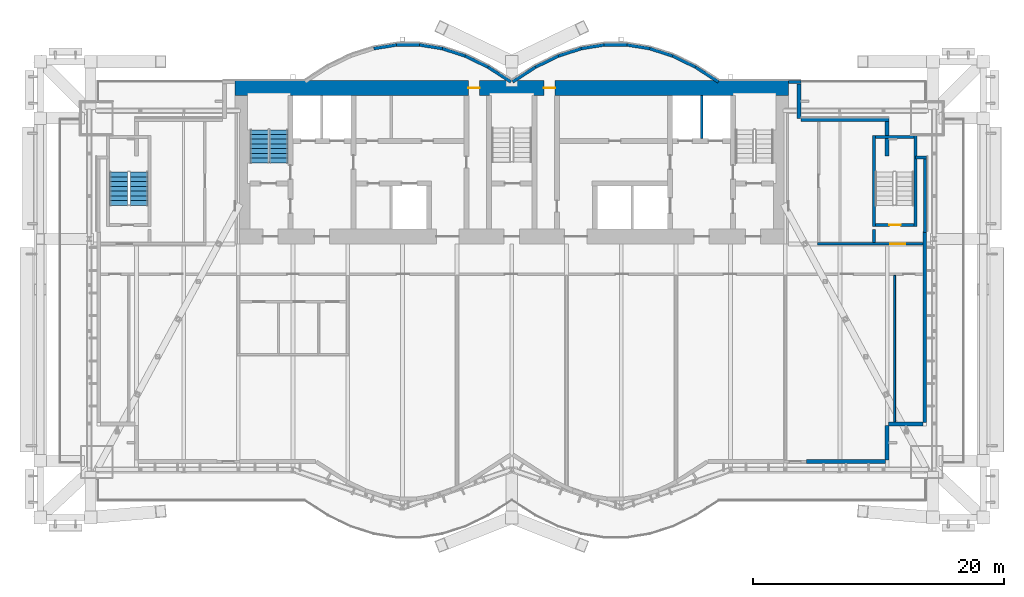
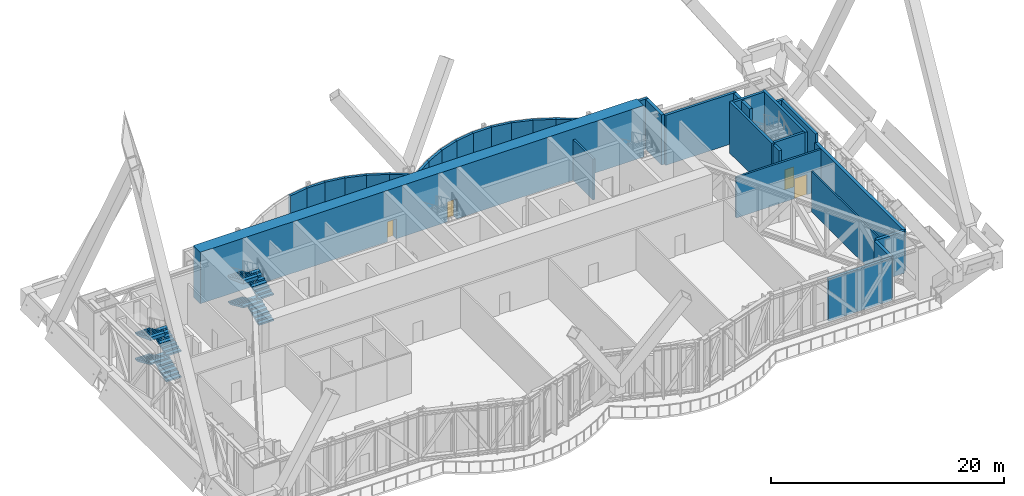
# One storey, part 26 of 30: 34 walls, 8 stair flights, 4 doors, 4 openings, 2 elements without a shape of their own.
"""IFC4 building model written with IfcOpenShell, lengths in metres."""

from ifc_helpers import new_model, si_unit, direction, frame, frame_2d, origin, place, context, subcontext, project, spatial, polyline, rectangle, outline, extrude, material, layer, layer_set, layer_usage, type_object, element, fill, aggregate, save


model = new_model("IFC4")

# Units and contexts
model_context = context("Model", 3, precision=1e-05, world=origin(), true_north=direction((0.0, 1.0)))
body_context = subcontext(model_context, "Body", "Model", "MODEL_VIEW")
ifc_project = project(units=[si_unit("LENGTHUNIT", "METRE"), si_unit("AREAUNIT", "SQUARE_METRE"), si_unit("VOLUMEUNIT", "CUBIC_METRE"), si_unit("PLANEANGLEUNIT", "RADIAN"), si_unit("MASSUNIT", "GRAM", prefix="KILO")], contexts=[model_context])

# Site, building, storey
site_placement = place(None, origin())
site = spatial("IfcSite", under=ifc_project, at=site_placement, CompositionType="ELEMENT")
building_placement = place(site_placement, origin())
building = spatial("IfcBuilding", under=site, at=building_placement, Name="Bicima Exchange Tower", CompositionType="ELEMENT")
storey_placement = place(building_placement, frame((0.0, 0.0, 185.5)))
storey = spatial("IfcBuildingStorey", under=building, at=storey_placement, Name="L41", CompositionType="ELEMENT", Elevation=185.5)

# Wall
ifc_material_1 = material(Name="Gypsum board partition")
ifc_layer_1 = layer(ifc_material_1, 0.199951171875)
ifc_layer_set_1 = layer_set([ifc_layer_1], Name="Gypsum board partition")
wall_type_1 = type_object("IfcWallType", Name="Fire-rated gypsum partition 200 EI120", PredefinedType="PARTITIONING", material=ifc_layer_set_1)
wall_1_placement = place(storey_placement, frame((15.10009765625, -4.60009765625, 0.0), z_axis=(0.0, 0.0, 1.0), x_axis=(0.0, 1.0, 0.0)))
element("IfcWall", 1, at=wall_1_placement, inside=storey, type_object=wall_type_1, Name="partition wall 21", PredefinedType="PARTITIONING", context=body_context, shape_type="SweptSolid", body=[
    extrude(rectangle(XDim=3.400146484375, YDim=0.199951171875, at=frame_2d((1.7001953125, 0.0))), origin(), (0.0, 0.0, 1.0), 4.259765625),
])

# Wall, opening, door
ifc_layer_2 = layer(ifc_material_1, 0.199951171875)
ifc_layer_set_2 = layer_set([ifc_layer_2], Name="Gypsum board partition")
wall_type_2 = type_object("IfcWallType", Name="Fire-rated gypsum partition 200 EI60", PredefinedType="PARTITIONING", material=ifc_layer_set_2)
wall_2_placement = place(storey_placement, frame((24.300048828125, -13.0, 0.0), z_axis=(0.0, 0.0, 1.0), x_axis=(1.0, 0.0, 0.0)))
wall_2 = element("IfcWall", 2, at=wall_2_placement, inside=storey, type_object=wall_type_2, Name="partition wall 7", PredefinedType="PARTITIONING", context=body_context, shape_type="SweptSolid", body=[
    extrude(rectangle(XDim=8.39990234375, YDim=0.199951171875, at=frame_2d((4.199951171875, 0.0))), origin(), (0.0, 0.0, 1.0), 4.259765625),
])
opening_1_placement = place(wall_2_placement, frame((5.800048828125, 0.0, 0.0)))
opening_1 = element("IfcOpeningElement", 3, at=opening_1_placement, cuts=wall_2, Name="Opening L41-003", PredefinedType="OPENING", context=body_context, shape_type="SweptSolid", body=[
    extrude(rectangle(XDim=1.199951171875, YDim=2.10009765625, at=frame_2d((0.60009765625, 1.050048828125))), frame((0.0, 0.11181640625, 0.0), z_axis=(0.0, -1.0, 0.0), x_axis=(1.0, 0.0, 0.0)), (0.0, 0.0, 1.0), 0.223876953125),
])
ifc_material_2 = material(Name="Steel fire door leaf", Category="steel")
door_type_1 = type_object("IfcDoorType", Name="Door 1200 swing FD30S", OperationType="SINGLE_SWING_LEFT", PredefinedType="DOOR", material=ifc_material_2)
door_1_placement = place(opening_1_placement, origin())
door_1 = element("IfcDoor", 4, at=door_1_placement, inside=storey, type_object=door_type_1, Name="Door", OperationType="SINGLE_SWING_RIGHT", OverallHeight=2.10009765625, OverallWidth=1.199951171875, PredefinedType="DOOR", context=body_context, shape_type="SweptSolid", body=[
    extrude(rectangle(XDim=1.199951171875, YDim=2.10009765625, at=frame_2d((0.60009765625, 1.050048828125))), frame((0.0, 0.02490234375, 0.0), z_axis=(0.0, -1.0, 0.0), x_axis=(1.0, 0.0, 0.0)), (0.0, 0.0, 1.0), 0.050048828125),
])
fill(opening_1, door_1)

# Wall
ifc_layer_3 = layer(ifc_material_1, 0.14990234375)
ifc_layer_set_3 = layer_set([ifc_layer_3], Name="Gypsum board partition")
wall_type_3 = type_object("IfcWallType", Name="Gypsum partition 150", PredefinedType="PARTITIONING", material=ifc_layer_set_3)
wall_3_placement = place(storey_placement, frame((30.449951171875, -27.159912109375, 0.0), z_axis=(0.0, 0.0, 1.0), x_axis=(0.0, 1.0, 0.0)))
element("IfcWall", 5, at=wall_3_placement, inside=storey, type_object=wall_type_3, Name="partition wall 26", PredefinedType="PARTITIONING", context=body_context, shape_type="SweptSolid", body=[
    extrude(rectangle(XDim=11.659912109375, YDim=0.14990234375, at=frame_2d((5.830078125, 0.0))), origin(), (0.0, 0.0, 1.0), 4.259765625),
])

# Wall, openings, doors
ifc_material_3 = material(Name="Concrete C50/60", Category="concrete")
ifc_layer_4 = layer(ifc_material_3, 1.199951171875)
ifc_layer_set_4 = layer_set([ifc_layer_4], Name="Concrete C50/60")
wall_type_4 = type_object("IfcWallType", Name="RC core wall 1200 C50/60", PredefinedType="SHEAR", material=ifc_layer_set_4)
wall_4_placement = place(storey_placement, frame((-22.0, -0.60009765625, 0.0), z_axis=(0.0, 0.0, 1.0), x_axis=(1.0, 0.0, 0.0)))
wall_4 = element("IfcWall", 6, at=wall_4_placement, inside=storey, type_object=wall_type_4, Name="Core wall north", PredefinedType="SHEAR", context=body_context, shape_type="SweptSolid", body=[
    extrude(rectangle(XDim=44.0, YDim=1.199951171875, at=frame_2d((22.0, 0.0))), origin(), (0.0, 0.0, 1.0), 5.39990234375),
])
opening_2_placement = place(wall_4_placement, frame((18.550048828125, 0.0, 0.0)))
opening_2 = element("IfcOpeningElement", 7, at=opening_2_placement, cuts=wall_4, Name="Opening L41-C16", PredefinedType="OPENING", context=body_context, shape_type="SweptSolid", body=[
    extrude(rectangle(XDim=0.89990234375, YDim=2.10009765625, at=frame_2d((0.449951171875, 1.050048828125))), frame((0.0, 0.61181640625, 0.0), z_axis=(0.0, -1.0, 0.0), x_axis=(1.0, 0.0, 0.0)), (0.0, 0.0, 1.0), 1.223876953125),
])
opening_3_placement = place(wall_4_placement, frame((24.550048828125, 0.0, 0.0)))
opening_3 = element("IfcOpeningElement", 8, at=opening_3_placement, cuts=wall_4, Name="Opening L41-C17", PredefinedType="OPENING", context=body_context, shape_type="SweptSolid", body=[
    extrude(rectangle(XDim=0.89990234375, YDim=2.10009765625, at=frame_2d((0.449951171875, 1.050048828125))), frame((0.0, 0.61181640625, 0.0), z_axis=(0.0, -1.0, 0.0), x_axis=(1.0, 0.0, 0.0)), (0.0, 0.0, 1.0), 1.223876953125),
])
door_type_2 = type_object("IfcDoorType", Name="Door 900 swing FD30S", OperationType="SINGLE_SWING_LEFT", PredefinedType="DOOR", material=ifc_material_2)
door_2_placement = place(opening_2_placement, origin())
door_2 = element("IfcDoor", 9, at=door_2_placement, inside=storey, type_object=door_type_2, Name="Core door", OperationType="SINGLE_SWING_LEFT", OverallHeight=2.10009765625, OverallWidth=0.89990234375, PredefinedType="DOOR", context=body_context, shape_type="SweptSolid", body=[
    extrude(rectangle(XDim=0.89990234375, YDim=2.10009765625, at=frame_2d((0.449951171875, 1.050048828125))), frame((0.0, 0.02490234375, 0.0), z_axis=(0.0, -1.0, 0.0), x_axis=(1.0, 0.0, 0.0)), (0.0, 0.0, 1.0), 0.050048828125),
])
fill(opening_2, door_2)
door_3_placement = place(opening_3_placement, origin())
door_3 = element("IfcDoor", 10, at=door_3_placement, inside=storey, type_object=door_type_2, Name="Core door", OperationType="SINGLE_SWING_LEFT", OverallHeight=2.10009765625, OverallWidth=0.89990234375, PredefinedType="DOOR", context=body_context, shape_type="SweptSolid", body=[
    extrude(rectangle(XDim=0.89990234375, YDim=2.10009765625, at=frame_2d((0.449951171875, 1.050048828125))), frame((0.0, 0.02490234375, 0.0), z_axis=(0.0, -1.0, 0.0), x_axis=(1.0, 0.0, 0.0)), (0.0, 0.0, 1.0), 0.050048828125),
])
fill(opening_3, door_3)

# Walls
ifc_layer_5 = layer(ifc_material_3, 0.25)
ifc_layer_set_5 = layer_set([ifc_layer_5], Name="Concrete C50/60")
wall_type_5 = type_object("IfcWallType", Name="RC core wall 250 C50/60", PredefinedType="SHEAR", material=ifc_layer_set_5)
wall_5_placement = place(storey_placement, frame((28.800048828125, -12.89990234375, 0.0), z_axis=(0.0, 0.0, 1.0), x_axis=(0.0, 1.0, 0.0)))
element("IfcWall", 11, at=wall_5_placement, inside=storey, type_object=wall_type_5, Name="stair wall 25", PredefinedType="SHEAR", context=body_context, shape_type="SweptSolid", body=[
    extrude(rectangle(XDim=1.0498046875, YDim=0.25, at=frame_2d((0.52490234375, 0.0))), origin(), (0.0, 0.0, 1.0), 5.39990234375),
])
ifc_layer_6 = layer(ifc_material_3, 0.25)
ifc_layer_set_6 = layer_set([ifc_layer_6], Name="Concrete C50/60")
wall_type_6 = type_object("IfcWallType", Name="RC stair enclosure wall 250 C50/60", PredefinedType="SHEAR", material=ifc_layer_set_6)
wall_6_placement = place(storey_placement, frame((28.800048828125, -11.625, 0.0), z_axis=(0.0, 0.0, 1.0), x_axis=(0.0, 1.0, 0.0)))
element("IfcWall", 12, at=wall_6_placement, inside=storey, type_object=wall_type_6, Name="East end exit stair wall W", PredefinedType="SHEAR", context=body_context, shape_type="SweptSolid", body=[
    extrude(rectangle(XDim=7.25, YDim=0.25, at=frame_2d((3.625, 0.0))), origin(), (0.0, 0.0, 1.0), 5.39990234375),
])
wall_7_placement = place(storey_placement, frame((32.10009765625, -11.625, 0.0), z_axis=(0.0, 0.0, 1.0), x_axis=(0.0, 1.0, 0.0)))
element("IfcWall", 13, at=wall_7_placement, inside=storey, type_object=wall_type_6, Name="East end exit stair wall E", PredefinedType="SHEAR", context=body_context, shape_type="SweptSolid", body=[
    extrude(rectangle(XDim=7.324951171875, YDim=0.25, at=frame_2d((3.66259765625, 0.0))), origin(), (0.0, 0.0, 1.0), 5.39990234375),
])

# Wall, opening, door
wall_8_placement = place(storey_placement, frame((28.925048828125, -11.5, 0.0), z_axis=(0.0, 0.0, 1.0), x_axis=(1.0, 0.0, 0.0)))
wall_8 = element("IfcWall", 14, at=wall_8_placement, inside=storey, type_object=wall_type_6, Name="East end exit stair wall S", PredefinedType="SHEAR", context=body_context, shape_type="SweptSolid", body=[
    extrude(rectangle(XDim=3.050048828125, YDim=0.25, at=frame_2d((1.52490234375, 0.0))), origin(), (0.0, 0.0, 1.0), 5.39990234375),
])
opening_4_placement = place(wall_8_placement, frame((1.10009765625, 0.0, 0.0)))
opening_4 = element("IfcOpeningElement", 15, at=opening_4_placement, cuts=wall_8, Name="Opening L41-004", PredefinedType="OPENING", context=body_context, shape_type="SweptSolid", body=[
    extrude(rectangle(XDim=0.89990234375, YDim=2.10009765625, at=frame_2d((0.449951171875, 1.050048828125))), frame((0.0, 0.136962890625, 0.0), z_axis=(0.0, -1.0, 0.0), x_axis=(1.0, 0.0, 0.0)), (0.0, 0.0, 1.0), 0.27392578125),
])
door_type_3 = type_object("IfcDoorType", Name="Door 900 swing FD60S", OperationType="SINGLE_SWING_LEFT", PredefinedType="DOOR", material=ifc_material_2)
door_4_placement = place(opening_4_placement, origin())
door_4 = element("IfcDoor", 16, at=door_4_placement, inside=storey, type_object=door_type_3, Name="Door", OperationType="SINGLE_SWING_LEFT", OverallHeight=2.10009765625, OverallWidth=0.89990234375, PredefinedType="DOOR", context=body_context, shape_type="SweptSolid", body=[
    extrude(rectangle(XDim=0.89990234375, YDim=2.10009765625, at=frame_2d((0.449951171875, 1.050048828125))), frame((0.0, 0.02490234375, 0.0), z_axis=(0.0, -1.0, 0.0), x_axis=(1.0, 0.0, 0.0)), (0.0, 0.0, 1.0), 0.050048828125),
])
fill(opening_4, door_4)

# Walls
wall_9_placement = place(storey_placement, frame((28.925048828125, -4.5, 0.0), z_axis=(0.0, 0.0, 1.0), x_axis=(1.0, 0.0, 0.0)))
element("IfcWall", 17, at=wall_9_placement, inside=storey, type_object=wall_type_6, Name="East end exit stair wall N", PredefinedType="SHEAR", context=body_context, shape_type="SweptSolid", body=[
    extrude(rectangle(XDim=3.050048828125, YDim=0.25, at=frame_2d((1.52490234375, 0.0))), origin(), (0.0, 0.0, 1.0), 5.39990234375),
])
ifc_material_4 = material(Name="Concrete C40/50", Category="concrete")
ifc_layer_7 = layer(ifc_material_4, 0.25)
ifc_layer_set_7 = layer_set([ifc_layer_7], Name="Concrete C40/50")
ifc_layer_usage_1 = layer_usage(ifc_layer_set_7, "AXIS2", "POSITIVE", -0.125)
wall_type_7 = type_object("IfcWallType", Name="Rear backup wall 250", PredefinedType="STANDARD", material=ifc_layer_set_7)
wall_10_placement = place(storey_placement, frame((32.875, -12.090087890625, 0.0), z_axis=(0.0, 0.0, 1.0), x_axis=(0.0, 1.0, 0.0)))
element("IfcWall", 18, at=wall_10_placement, inside=storey, type_object=wall_type_7, material=ifc_layer_usage_1, Name="Rear backup wall L41 2", PredefinedType="STANDARD", context=body_context, shape_type="SweptSolid", body=[
    extrude(rectangle(XDim=6.090087890625, YDim=0.25, at=frame_2d((3.044921875, 0.0))), origin(), (0.0, 0.0, 1.0), 5.25),
])
wall_11_placement = place(storey_placement, frame((33.0, -6.125, 0.0), z_axis=(0.0, 0.0, 1.0), x_axis=(-1.0, 0.0, 0.0)))
element("IfcWall", 19, at=wall_11_placement, inside=storey, type_object=wall_type_7, material=ifc_layer_usage_1, Name="Rear backup wall L41 3", PredefinedType="STANDARD", context=body_context, shape_type="SweptSolid", body=[
    extrude(rectangle(XDim=0.889892578125, YDim=0.25, at=frame_2d((0.44482421875, 0.0))), origin(), (0.0, 0.0, 1.0), 5.25),
])
wall_12_placement = place(storey_placement, frame((30.0, -3.125, 0.0), z_axis=(0.0, 0.0, 1.0), x_axis=(-1.0, 0.0, 0.0)))
element("IfcWall", 20, at=wall_12_placement, inside=storey, type_object=wall_type_7, material=ifc_layer_usage_1, Name="Rear backup wall L41 5", PredefinedType="STANDARD", context=body_context, shape_type="SweptSolid", body=[
    extrude(rectangle(XDim=7.0, YDim=0.25, at=frame_2d((3.5, 0.0))), origin(), (0.0, 0.0, 1.0), 5.25),
])
wall_13_placement = place(storey_placement, frame((23.0, -0.125, 0.0), z_axis=(0.0, 0.0, 1.0), x_axis=(-1.0, 0.0, 0.0)))
element("IfcWall", 21, at=wall_13_placement, inside=storey, type_object=wall_type_7, material=ifc_layer_usage_1, Name="Rear backup wall L41 7", PredefinedType="STANDARD", context=body_context, shape_type="SweptSolid", body=[
    extrude(rectangle(XDim=1.0, YDim=0.25, at=frame_2d((0.5, 0.0))), origin(), (0.0, 0.0, 1.0), 5.25),
])
wall_14_placement = place(storey_placement, frame((16.43212890625, -0.10498046875, 0.0), z_axis=(0.0, 0.0, 1.0), x_axis=(-0.83981312244, 0.542875602121, 0.0)))
element("IfcWall", 22, at=wall_14_placement, inside=storey, type_object=wall_type_7, material=ifc_layer_usage_1, Name="Rear backup wall L41 8", PredefinedType="STANDARD", context=body_context, shape_type="SweptSolid", body=[
    extrude(rectangle(XDim=2.182861328125, YDim=0.25, at=frame_2d((1.09130859375, 0.0))), origin(), (0.0, 0.0, 1.0), 5.25),
])
wall_15_placement = place(storey_placement, frame((14.6123046875, 1.07275390625, 0.0), z_axis=(0.0, 0.0, 1.0), x_axis=(-0.89982408427, 0.436252928206, 0.0)))
element("IfcWall", 23, at=wall_15_placement, inside=storey, type_object=wall_type_7, material=ifc_layer_usage_1, Name="Rear backup wall L41 9", PredefinedType="STANDARD", context=body_context, shape_type="SweptSolid", body=[
    extrude(rectangle(XDim=2.03759765625, YDim=0.25, at=frame_2d((1.018798828125, 0.0))), origin(), (0.0, 0.0, 1.0), 5.25),
])
wall_16_placement = place(storey_placement, frame((12.794921875, 1.955078125, 0.0), z_axis=(0.0, 0.0, 1.0), x_axis=(-0.951495806175, 0.307661714928, 0.0)))
element("IfcWall", 24, at=wall_16_placement, inside=storey, type_object=wall_type_7, material=ifc_layer_usage_1, Name="Rear backup wall L41 10", PredefinedType="STANDARD", context=body_context, shape_type="SweptSolid", body=[
    extrude(rectangle(XDim=1.9267578125, YDim=0.25, at=frame_2d((0.96337890625, 0.0))), origin(), (0.0, 0.0, 1.0), 5.25),
])
wall_17_placement = place(storey_placement, frame((10.97998046875, 2.543212890625, 0.0), z_axis=(0.0, 0.0, 1.0), x_axis=(-0.987181718931, 0.159600293885, 0.0)))
element("IfcWall", 25, at=wall_17_placement, inside=storey, type_object=wall_type_7, material=ifc_layer_usage_1, Name="Rear backup wall L41 11", PredefinedType="STANDARD", context=body_context, shape_type="SweptSolid", body=[
    extrude(rectangle(XDim=1.857177734375, YDim=0.25, at=frame_2d((0.9287109375, 0.0))), origin(), (0.0, 0.0, 1.0), 5.25),
])
wall_18_placement = place(storey_placement, frame((9.166748046875, 2.837890625, 0.0), z_axis=(0.0, 0.0, 1.0), x_axis=(-1.0, 0.0, 0.0)))
element("IfcWall", 26, at=wall_18_placement, inside=storey, type_object=wall_type_7, material=ifc_layer_usage_1, Name="Rear backup wall L41 12", PredefinedType="STANDARD", context=body_context, shape_type="SweptSolid", body=[
    extrude(rectangle(XDim=1.83349609375, YDim=0.25, at=frame_2d((0.916748046875, 0.0))), origin(), (0.0, 0.0, 1.0), 5.25),
])
wall_19_placement = place(storey_placement, frame((7.353271484375, 2.839599609375, 0.0), z_axis=(0.0, 0.0, 1.0), x_axis=(-0.987181718931, -0.159600293885, 0.0)))
element("IfcWall", 27, at=wall_19_placement, inside=storey, type_object=wall_type_7, material=ifc_layer_usage_1, Name="Rear backup wall L41 13", PredefinedType="STANDARD", context=body_context, shape_type="SweptSolid", body=[
    extrude(rectangle(XDim=1.857177734375, YDim=0.25, at=frame_2d((0.9287109375, 0.0))), origin(), (0.0, 0.0, 1.0), 5.25),
])
wall_20_placement = place(storey_placement, frame((5.538330078125, 2.5478515625, 0.0), z_axis=(0.0, 0.0, 1.0), x_axis=(-0.951495806175, -0.307661714928, 0.0)))
element("IfcWall", 28, at=wall_20_placement, inside=storey, type_object=wall_type_7, material=ifc_layer_usage_1, Name="Rear backup wall L41 14", PredefinedType="STANDARD", context=body_context, shape_type="SweptSolid", body=[
    extrude(rectangle(XDim=1.9267578125, YDim=0.25, at=frame_2d((0.96337890625, 0.0))), origin(), (0.0, 0.0, 1.0), 5.25),
])
wall_21_placement = place(storey_placement, frame((3.72119140625, 1.961669921875, 0.0), z_axis=(0.0, 0.0, 1.0), x_axis=(-0.89982408427, -0.436252928206, 0.0)))
element("IfcWall", 29, at=wall_21_placement, inside=storey, type_object=wall_type_7, material=ifc_layer_usage_1, Name="Rear backup wall L41 15", PredefinedType="STANDARD", context=body_context, shape_type="SweptSolid", body=[
    extrude(rectangle(XDim=2.03759765625, YDim=0.25, at=frame_2d((1.018798828125, 0.0))), origin(), (0.0, 0.0, 1.0), 5.25),
])
for number, where, z_axis, x_axis, name in (
    (30, (1.901123046875, 1.080078125, 0.0), (0.0, 0.0, 1.0), (-0.83981312244, -0.542875602121, 0.0), "Rear backup wall L41 16"),
    (31, (-0.06787109375, -0.10498046875, 0.0), (0.0, 0.0, 1.0), (-0.83981312244, 0.542875602121, 0.0), "Rear backup wall L41 17"),
):
    element("IfcWall", number, at=place(storey_placement, frame(where, z_axis=z_axis, x_axis=x_axis)), inside=storey, type_object=wall_type_7, material=ifc_layer_usage_1, Name=name, PredefinedType="STANDARD", context=body_context, shape_type="SweptSolid", body=[
        extrude(rectangle(XDim=2.182861328125, YDim=0.25, at=frame_2d((1.09130859375, 0.0))), origin(), (0.0, 0.0, 1.0), 5.25),
    ])
wall_22_placement = place(storey_placement, frame((-1.8876953125, 1.07275390625, 0.0), z_axis=(0.0, 0.0, 1.0), x_axis=(-0.89982408427, 0.436252928206, 0.0)))
element("IfcWall", 32, at=wall_22_placement, inside=storey, type_object=wall_type_7, material=ifc_layer_usage_1, Name="Rear backup wall L41 18", PredefinedType="STANDARD", context=body_context, shape_type="SweptSolid", body=[
    extrude(rectangle(XDim=2.03759765625, YDim=0.25, at=frame_2d((1.018798828125, 0.0))), origin(), (0.0, 0.0, 1.0), 5.25),
])
wall_23_placement = place(storey_placement, frame((-3.705078125, 1.955078125, 0.0), z_axis=(0.0, 0.0, 1.0), x_axis=(-0.951495806175, 0.307661714928, 0.0)))
element("IfcWall", 33, at=wall_23_placement, inside=storey, type_object=wall_type_7, material=ifc_layer_usage_1, Name="Rear backup wall L41 19", PredefinedType="STANDARD", context=body_context, shape_type="SweptSolid", body=[
    extrude(rectangle(XDim=1.9267578125, YDim=0.25, at=frame_2d((0.96337890625, 0.0))), origin(), (0.0, 0.0, 1.0), 5.25),
])
wall_24_placement = place(storey_placement, frame((-5.52001953125, 2.543212890625, 0.0), z_axis=(0.0, 0.0, 1.0), x_axis=(-0.987181718931, 0.159600293885, 0.0)))
element("IfcWall", 34, at=wall_24_placement, inside=storey, type_object=wall_type_7, material=ifc_layer_usage_1, Name="Rear backup wall L41 20", PredefinedType="STANDARD", context=body_context, shape_type="SweptSolid", body=[
    extrude(rectangle(XDim=1.857177734375, YDim=0.25, at=frame_2d((0.9287109375, 0.0))), origin(), (0.0, 0.0, 1.0), 5.25),
])
wall_25_placement = place(storey_placement, frame((-7.333251953125, 2.837890625, 0.0), z_axis=(0.0, 0.0, 1.0), x_axis=(-1.0, 0.0, 0.0)))
element("IfcWall", 35, at=wall_25_placement, inside=storey, type_object=wall_type_7, material=ifc_layer_usage_1, Name="Rear backup wall L41 21", PredefinedType="STANDARD", context=body_context, shape_type="SweptSolid", body=[
    extrude(rectangle(XDim=1.83349609375, YDim=0.25, at=frame_2d((0.916748046875, 0.0))), origin(), (0.0, 0.0, 1.0), 5.25),
])
wall_26_placement = place(storey_placement, frame((-9.146728515625, 2.839599609375, 0.0), z_axis=(0.0, 0.0, 1.0), x_axis=(-0.987181718931, -0.159600293885, 0.0)))
element("IfcWall", 36, at=wall_26_placement, inside=storey, type_object=wall_type_7, material=ifc_layer_usage_1, Name="Rear backup wall L41 22", PredefinedType="STANDARD", context=body_context, shape_type="SweptSolid", body=[
    extrude(rectangle(XDim=1.857177734375, YDim=0.25, at=frame_2d((0.9287109375, 0.0))), origin(), (0.0, 0.0, 1.0), 5.25),
])
ifc_layer_8 = layer(ifc_material_4, 0.3)
ifc_layer_set_8 = layer_set([ifc_layer_8], Name="Concrete C40/50")
ifc_layer_usage_2 = layer_usage(ifc_layer_set_8, "AXIS2", "POSITIVE", -0.15)
wall_type_8 = type_object("IfcWallType", Name="Refuge band wall 300", PredefinedType="STANDARD", material=ifc_layer_set_8)
wall_27_placement = place(storey_placement, frame((32.85009765625, -27.18408203125, 0.0), z_axis=(0.0, 0.0, 1.0), x_axis=(0.0, 1.0, 0.0)))
element("IfcWall", 37, at=wall_27_placement, inside=storey, type_object=wall_type_8, material=ifc_layer_usage_2, Name="Refuge band wall L41", PredefinedType="STANDARD", context=body_context, shape_type="SweptSolid", body=[
    extrude(rectangle(XDim=15.18408203125, YDim=0.300048828125, at=frame_2d((7.592041015625, 0.0))), origin(), (0.0, 0.0, 1.0), 4.338134765625),
])
for number, where, z_axis, x_axis, name in (
    (38, (29.85009765625, -6.024169921875, 0.0), (0.0, 0.0, 1.0), (0.0, 1.0, 0.0), "Refuge band wall L41"),
    (39, (22.85009765625, -3.024169921875, 0.0), (0.0, 0.0, 1.0), (0.0, 1.0, 0.0), "Refuge band wall L41"),
):
    element("IfcWall", number, at=place(storey_placement, frame(where, z_axis=z_axis, x_axis=x_axis)), inside=storey, type_object=wall_type_8, material=ifc_layer_usage_2, Name=name, PredefinedType="STANDARD", context=body_context, shape_type="SweptSolid", body=[
        extrude(rectangle(XDim=2.748291015625, YDim=0.300048828125, at=frame_2d((1.3740234375, 0.0))), origin(), (0.0, 0.0, 1.0), 5.25),
    ])
wall_28_placement = place(storey_placement, frame((23.449951171875, -30.31005859375, 0.0), z_axis=(0.0, 0.0, 1.0), x_axis=(1.0, 0.0, 0.0)))
element("IfcWall", 40, at=wall_28_placement, inside=storey, type_object=wall_type_8, material=ifc_layer_usage_2, Name="Refuge band wall L41", PredefinedType="STANDARD", context=body_context, shape_type="SweptSolid", body=[
    extrude(rectangle(XDim=6.274169921875, YDim=0.300048828125, at=frame_2d((3.13720703125, 0.0))), origin(), (0.0, 0.0, 1.0), 4.414306640625),
])
for number, where, z_axis, x_axis, name in (
    (41, (29.85009765625, -30.18408203125, 0.0), (0.0, 0.0, 1.0), (0.0, 1.0, 0.0), "Refuge band wall L41"),
    (42, (29.975830078125, -27.31005859375, 0.0), (0.0, 0.0, 1.0), (1.0, 0.0, 0.0), "Refuge band wall L41"),
):
    element("IfcWall", number, at=place(storey_placement, frame(where, z_axis=z_axis, x_axis=x_axis)), inside=storey, type_object=wall_type_8, material=ifc_layer_usage_2, Name=name, PredefinedType="STANDARD", context=body_context, shape_type="SweptSolid", body=[
        extrude(rectangle(XDim=2.748291015625, YDim=0.300048828125, at=frame_2d((1.3740234375, 0.0))), origin(), (0.0, 0.0, 1.0), 4.414306640625),
    ])

# Stair, stair flights
stair_type = type_object("IfcStairType", Name="Exit stair", PredefinedType="HALF_TURN_STAIR", material=ifc_material_3)
stair_1_placement = place(storey_placement, origin())
stair_1 = element("IfcStair", 43, at=stair_1_placement, inside=storey, type_object=stair_type, Name="L41 West exit stair", PredefinedType="HALF_TURN_STAIR")
stair_flight_type = type_object("IfcStairFlightType", Name="Stair flight RC", PredefinedType="STRAIGHT", material=ifc_material_3)
stair_flight_1_placement = place(storey_placement, frame((-18.52490234375, -6.550048828125, 0.0), z_axis=(0.0, 0.0, 1.0), x_axis=(0.0, 1.0, 0.0)))
stair_flight_1 = element("IfcStairFlight", 44, at=stair_flight_1_placement, type_object=stair_flight_type, Name="ST-W flight 1", NumberOfRisers=8, NumberOfTreads=7, PredefinedType="STRAIGHT", RiserHeight=0.16875, TreadLength=0.375714286, context=body_context, shape_type="SweptSolid", body=[
    extrude(outline(polyline([(0.0, 0.0), (0.0, 0.168701171875), (0.375732421875, 0.168701171875), (0.375732421875, 0.33740234375), (0.75146484375, 0.33740234375), (0.75146484375, 0.50634765625), (1.127197265625, 0.50634765625), (1.127197265625, 0.675048828125), (1.5029296875, 0.675048828125), (1.5029296875, 0.84375), (1.878662109375, 0.84375), (1.878662109375, 1.012451171875), (2.25439453125, 1.012451171875), (2.25439453125, 1.18115234375), (2.6298828125, 1.18115234375), (2.6298828125, 1.35009765625), (2.6298828125, 1.016845703125), (0.365966796875, 0.0), (0.0, 0.0)])), frame((0.0, 0.72509765625, 0.0), z_axis=(0.0, -1.0, 0.0), x_axis=(1.0, 0.0, 0.0)), (0.0, 0.0, 1.0), 1.449951171875),
])
stair_flight_2_placement = place(storey_placement, frame((-20.074951171875, -3.919921875, 1.35009765625), z_axis=(0.0, 0.0, 1.0), x_axis=(0.0, -1.0, 0.0)))
stair_flight_2 = element("IfcStairFlight", 45, at=stair_flight_2_placement, type_object=stair_flight_type, Name="ST-W flight 2", NumberOfRisers=8, NumberOfTreads=7, PredefinedType="STRAIGHT", RiserHeight=0.16875, TreadLength=0.375714286, context=body_context, shape_type="SweptSolid", body=[
    extrude(outline(polyline([(0.0, 0.0), (0.0, 0.168701171875), (0.375732421875, 0.168701171875), (0.375732421875, 0.33740234375), (0.75146484375, 0.33740234375), (0.75146484375, 0.50634765625), (1.127197265625, 0.50634765625), (1.127197265625, 0.675048828125), (1.5029296875, 0.675048828125), (1.5029296875, 0.84375), (1.878662109375, 0.84375), (1.878662109375, 1.012451171875), (2.25439453125, 1.012451171875), (2.25439453125, 1.18115234375), (2.6298828125, 1.18115234375), (2.6298828125, 1.35009765625), (2.6298828125, 1.016845703125), (0.365966796875, 0.0), (0.0, 0.0)])), frame((0.0, 0.72509765625, 0.0), z_axis=(0.0, -1.0, 0.0), x_axis=(1.0, 0.0, 0.0)), (0.0, 0.0, 1.0), 1.449951171875),
])
stair_flight_3_placement = place(storey_placement, frame((-18.52490234375, -6.550048828125, 2.699951171875), z_axis=(0.0, 0.0, 1.0), x_axis=(0.0, 1.0, 0.0)))
stair_flight_3 = element("IfcStairFlight", 46, at=stair_flight_3_placement, type_object=stair_flight_type, Name="ST-W flight 3", NumberOfRisers=8, NumberOfTreads=7, PredefinedType="STRAIGHT", RiserHeight=0.16875, TreadLength=0.375714286, context=body_context, shape_type="SweptSolid", body=[
    extrude(outline(polyline([(0.0, 0.0), (0.0, 0.168701171875), (0.375732421875, 0.168701171875), (0.375732421875, 0.33740234375), (0.75146484375, 0.33740234375), (0.75146484375, 0.50634765625), (1.127197265625, 0.50634765625), (1.127197265625, 0.675048828125), (1.5029296875, 0.675048828125), (1.5029296875, 0.84375), (1.878662109375, 0.84375), (1.878662109375, 1.012451171875), (2.25439453125, 1.012451171875), (2.25439453125, 1.18115234375), (2.6298828125, 1.18115234375), (2.6298828125, 1.35009765625), (2.6298828125, 1.016845703125), (0.365966796875, 0.0), (0.0, 0.0)])), frame((0.0, 0.72509765625, 0.0), z_axis=(0.0, -1.0, 0.0), x_axis=(1.0, 0.0, 0.0)), (0.0, 0.0, 1.0), 1.449951171875),
])
stair_flight_4_placement = place(storey_placement, frame((-20.074951171875, -3.919921875, 4.050048828125), z_axis=(0.0, 0.0, 1.0), x_axis=(0.0, -1.0, 0.0)))
stair_flight_4 = element("IfcStairFlight", 47, at=stair_flight_4_placement, type_object=stair_flight_type, Name="ST-W flight 4", NumberOfRisers=8, NumberOfTreads=7, PredefinedType="STRAIGHT", RiserHeight=0.16875, TreadLength=0.375714286, context=body_context, shape_type="SweptSolid", body=[
    extrude(outline(polyline([(0.0, 0.0), (0.0, 0.168701171875), (0.375732421875, 0.168701171875), (0.375732421875, 0.33740234375), (0.75146484375, 0.33740234375), (0.75146484375, 0.50634765625), (1.127197265625, 0.50634765625), (1.127197265625, 0.675048828125), (1.5029296875, 0.675048828125), (1.5029296875, 0.84375), (1.878662109375, 0.84375), (1.878662109375, 1.012451171875), (2.25439453125, 1.012451171875), (2.25439453125, 1.18115234375), (2.6298828125, 1.18115234375), (2.6298828125, 1.2041015625), (2.64501953125, 1.2041015625), (2.64501953125, 0.85498046875), (0.365966796875, 0.0), (0.0, 0.0)])), frame((0.0, 0.72509765625, 0.0), z_axis=(0.0, -1.0, 0.0), x_axis=(1.0, 0.0, 0.0)), (0.0, 0.0, 1.0), 1.449951171875),
])
aggregate(stair_1, [stair_flight_1, stair_flight_2, stair_flight_3, stair_flight_4])

stair_2_placement = place(storey_placement, origin())
stair_2 = element("IfcStair", 48, at=stair_2_placement, inside=storey, type_object=stair_type, Name="L41 West end exit stair", PredefinedType="HALF_TURN_STAIR")
stair_flight_5_placement = place(storey_placement, frame((-29.64990234375, -9.925048828125, 0.0), z_axis=(0.0, 0.0, 1.0), x_axis=(0.0, 1.0, 0.0)))
stair_flight_5 = element("IfcStairFlight", 49, at=stair_flight_5_placement, type_object=stair_flight_type, Name="ST-WW flight 1", NumberOfRisers=8, NumberOfTreads=7, PredefinedType="STRAIGHT", RiserHeight=0.16875, TreadLength=0.375714286, context=body_context, shape_type="SweptSolid", body=[
    extrude(outline(polyline([(0.0, 0.0), (0.0, 0.168701171875), (0.375732421875, 0.168701171875), (0.375732421875, 0.33740234375), (0.75146484375, 0.33740234375), (0.75146484375, 0.50634765625), (1.127197265625, 0.50634765625), (1.127197265625, 0.675048828125), (1.5029296875, 0.675048828125), (1.5029296875, 0.84375), (1.878662109375, 0.84375), (1.878662109375, 1.012451171875), (2.25439453125, 1.012451171875), (2.25439453125, 1.18115234375), (2.6298828125, 1.18115234375), (2.6298828125, 1.35009765625), (2.6298828125, 1.016845703125), (0.365966796875, 0.0), (0.0, 0.0)])), frame((0.0, 0.72509765625, 0.0), z_axis=(0.0, -1.0, 0.0), x_axis=(1.0, 0.0, 0.0)), (0.0, 0.0, 1.0), 1.449951171875),
])
stair_flight_6_placement = place(storey_placement, frame((-31.25, -7.294921875, 1.35009765625), z_axis=(0.0, 0.0, 1.0), x_axis=(0.0, -1.0, 0.0)))
stair_flight_6 = element("IfcStairFlight", 50, at=stair_flight_6_placement, type_object=stair_flight_type, Name="ST-WW flight 2", NumberOfRisers=8, NumberOfTreads=7, PredefinedType="STRAIGHT", RiserHeight=0.16875, TreadLength=0.375714286, context=body_context, shape_type="SweptSolid", body=[
    extrude(outline(polyline([(0.0, 0.0), (0.0, 0.168701171875), (0.375732421875, 0.168701171875), (0.375732421875, 0.33740234375), (0.75146484375, 0.33740234375), (0.75146484375, 0.50634765625), (1.127197265625, 0.50634765625), (1.127197265625, 0.675048828125), (1.5029296875, 0.675048828125), (1.5029296875, 0.84375), (1.878662109375, 0.84375), (1.878662109375, 1.012451171875), (2.25439453125, 1.012451171875), (2.25439453125, 1.18115234375), (2.6298828125, 1.18115234375), (2.6298828125, 1.35009765625), (2.6298828125, 1.016845703125), (0.365966796875, 0.0), (0.0, 0.0)])), frame((0.0, 0.72509765625, 0.0), z_axis=(0.0, -1.0, 0.0), x_axis=(1.0, 0.0, 0.0)), (0.0, 0.0, 1.0), 1.449951171875),
])
stair_flight_7_placement = place(storey_placement, frame((-29.64990234375, -9.925048828125, 2.699951171875), z_axis=(0.0, 0.0, 1.0), x_axis=(0.0, 1.0, 0.0)))
stair_flight_7 = element("IfcStairFlight", 51, at=stair_flight_7_placement, type_object=stair_flight_type, Name="ST-WW flight 3", NumberOfRisers=8, NumberOfTreads=7, PredefinedType="STRAIGHT", RiserHeight=0.16875, TreadLength=0.375714286, context=body_context, shape_type="SweptSolid", body=[
    extrude(outline(polyline([(0.0, 0.0), (0.0, 0.168701171875), (0.375732421875, 0.168701171875), (0.375732421875, 0.33740234375), (0.75146484375, 0.33740234375), (0.75146484375, 0.50634765625), (1.127197265625, 0.50634765625), (1.127197265625, 0.675048828125), (1.5029296875, 0.675048828125), (1.5029296875, 0.84375), (1.878662109375, 0.84375), (1.878662109375, 1.012451171875), (2.25439453125, 1.012451171875), (2.25439453125, 1.18115234375), (2.6298828125, 1.18115234375), (2.6298828125, 1.35009765625), (2.6298828125, 1.016845703125), (0.365966796875, 0.0), (0.0, 0.0)])), frame((0.0, 0.72509765625, 0.0), z_axis=(0.0, -1.0, 0.0), x_axis=(1.0, 0.0, 0.0)), (0.0, 0.0, 1.0), 1.449951171875),
])
stair_flight_8_placement = place(storey_placement, frame((-31.25, -7.294921875, 4.050048828125), z_axis=(0.0, 0.0, 1.0), x_axis=(0.0, -1.0, 0.0)))
stair_flight_8 = element("IfcStairFlight", 52, at=stair_flight_8_placement, type_object=stair_flight_type, Name="ST-WW flight 4", NumberOfRisers=8, NumberOfTreads=7, PredefinedType="STRAIGHT", RiserHeight=0.16875, TreadLength=0.375714286, context=body_context, shape_type="SweptSolid", body=[
    extrude(outline(polyline([(0.0, 0.0), (0.0, 0.168701171875), (0.375732421875, 0.168701171875), (0.375732421875, 0.33740234375), (0.75146484375, 0.33740234375), (0.75146484375, 0.50634765625), (1.127197265625, 0.50634765625), (1.127197265625, 0.675048828125), (1.5029296875, 0.675048828125), (1.5029296875, 0.84375), (1.878662109375, 0.84375), (1.878662109375, 1.012451171875), (2.25439453125, 1.012451171875), (2.25439453125, 1.18115234375), (2.6298828125, 1.18115234375), (2.6298828125, 1.2041015625), (2.64501953125, 1.2041015625), (2.64501953125, 0.85498046875), (0.365966796875, 0.0), (0.0, 0.0)])), frame((0.0, 0.72509765625, 0.0), z_axis=(0.0, -1.0, 0.0), x_axis=(1.0, 0.0, 0.0)), (0.0, 0.0, 1.0), 1.449951171875),
])
aggregate(stair_2, [stair_flight_5, stair_flight_6, stair_flight_7, stair_flight_8])

save(model, "model.ifc")
